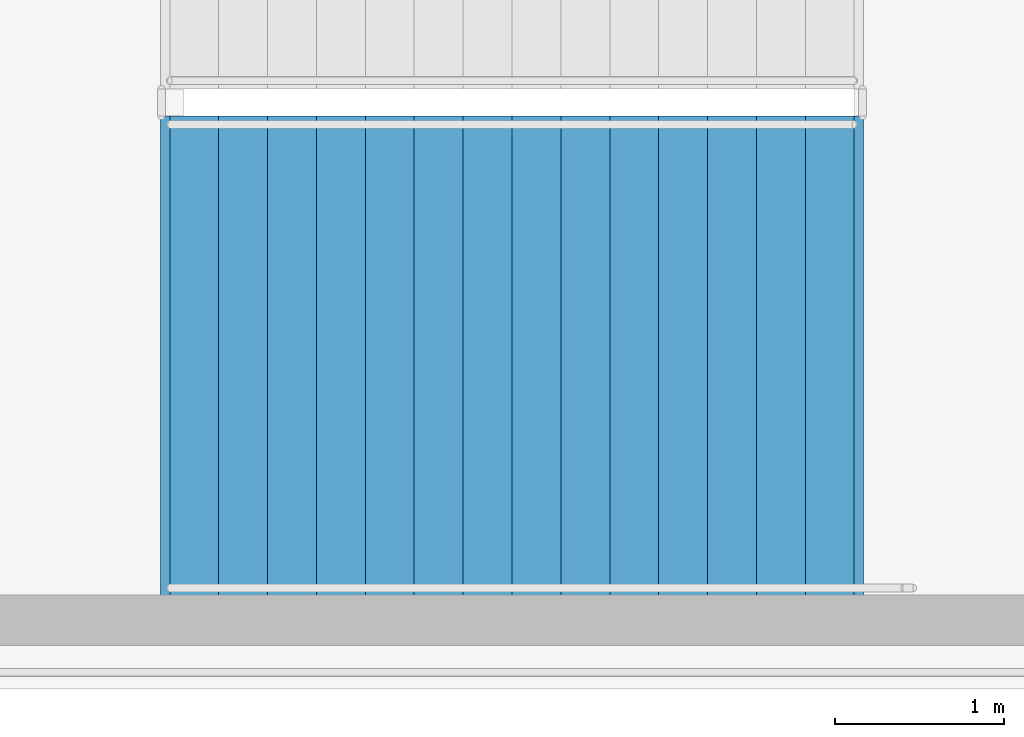
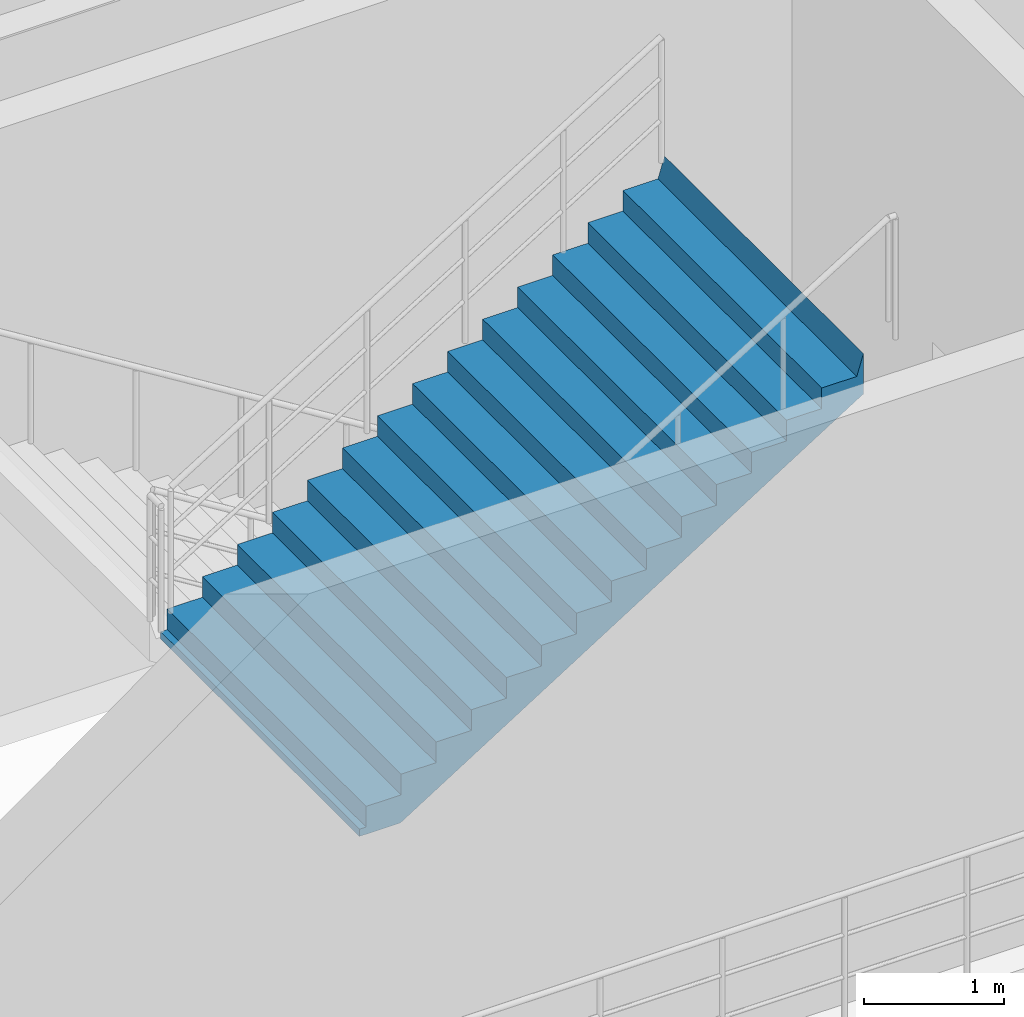
# One storey, part 76 of 93: 1 stair flight, 1 element without a shape of its own.
"""IFC4 building model written with IfcOpenShell, lengths in metres."""

from ifc_helpers import new_model, si_unit, direction, frame, origin, place, context, subcontext, project, spatial, polyline, outline, extrude, material, type_object, element, aggregate, save


model = new_model("IFC4")

# Units and contexts
model_context = context("Model", 3, precision=1e-05, world=origin(), true_north=direction((0.0, 1.0)))
body_context = subcontext(model_context, "Body", "Model", "MODEL_VIEW")
ifc_project = project(units=[si_unit("LENGTHUNIT", "METRE"), si_unit("AREAUNIT", "SQUARE_METRE"), si_unit("VOLUMEUNIT", "CUBIC_METRE"), si_unit("PLANEANGLEUNIT", "RADIAN"), si_unit("MASSUNIT", "GRAM", prefix="KILO")], contexts=[model_context])

# Site, building, storey
site_placement = place(None, origin())
site = spatial("IfcSite", under=ifc_project, at=site_placement, CompositionType="ELEMENT")
building_placement = place(site_placement, origin())
building = spatial("IfcBuilding", under=site, at=building_placement, Name="Cinderbank Siding Concert Hall", CompositionType="ELEMENT")
storey_placement = place(building_placement, origin())
storey = spatial("IfcBuildingStorey", under=building, at=storey_placement, Name="L01", CompositionType="ELEMENT", Elevation=0.0)

# Stair, stair flight
ifc_material = material(Name="Reinforced concrete AS 3600 N50 (50 MPa)", Category="concrete")
stair_type = type_object("IfcStairType", Name="STR-J Dogleg Exit Stair 2850mm", PredefinedType="HALF_TURN_STAIR", material=ifc_material)
stair_placement = place(storey_placement, origin())
stair = element("IfcStair", 1, at=stair_placement, inside=storey, type_object=stair_type, Name="L01 East Link South Exit Stair ST-12", PredefinedType="HALF_TURN_STAIR")
stair_flight_type = type_object("IfcStairFlightType", Name="SFL-J Concrete Stair Flight 2850mm", PredefinedType="STRAIGHT", material=ifc_material)
stair_flight_placement = place(storey_placement, frame((156.7900390625, 60.27490234375, 2.699951171875), z_axis=(0.0, 0.0, 1.0), x_axis=(1.0, 0.0, 0.0)))
stair_flight = element("IfcStairFlight", 2, at=stair_flight_placement, type_object=stair_flight_type, Name="ST-12 flight 2", NumberOfRisers=15, NumberOfTreads=14, PredefinedType="STRAIGHT", RiserHeight=0.18, TreadLength=0.29, context=body_context, shape_type="SweptSolid", body=[
    extrude(outline(polyline([(0.0, 0.0), (0.0, 0.179931640625), (0.2900390625, 0.179931640625), (0.2900390625, 0.360107421875), (0.580078125, 0.360107421875), (0.580078125, 0.5400390625), (0.8701171875, 0.5400390625), (0.8701171875, 0.719970703125), (1.159912109375, 0.719970703125), (1.159912109375, 0.89990234375), (1.449951171875, 0.89990234375), (1.449951171875, 1.080078125), (1.739990234375, 1.080078125), (1.739990234375, 1.260009765625), (2.030029296875, 1.260009765625), (2.030029296875, 1.43994140625), (2.320068359375, 1.43994140625), (2.320068359375, 1.6201171875), (2.610107421875, 1.6201171875), (2.610107421875, 1.800048828125), (2.89990234375, 1.800048828125), (2.89990234375, 1.97998046875), (3.18994140625, 1.97998046875), (3.18994140625, 2.159912109375), (3.47998046875, 2.159912109375), (3.47998046875, 2.340087890625), (3.77001953125, 2.340087890625), (3.77001953125, 2.52001953125), (4.06005859375, 2.52001953125), (4.114990234375, 2.699951171875), (4.114990234375, 2.343505859375), (4.11474609375, 2.34375), (4.11474609375, 2.343994140625), (4.11474609375, 2.34423828125), (4.11474609375, 2.344482421875), (4.11474609375, 2.3447265625), (4.11474609375, 2.344970703125), (4.11474609375, 2.34521484375), (4.11474609375, 2.345458984375), (4.11474609375, 2.345703125), (4.11474609375, 2.345947265625), (4.11474609375, 2.34619140625), (4.11474609375, 2.346435546875), (4.114501953125, 2.346435546875), (4.114501953125, 2.34619140625), (4.114501953125, 2.345947265625), (4.114501953125, 2.345703125), (4.114501953125, 2.345458984375), (4.114501953125, 2.34521484375), (4.114501953125, 2.344970703125), (4.114501953125, 2.3447265625), (4.114501953125, 2.344482421875), (4.114501953125, 2.34423828125), (4.114501953125, 2.343994140625), (4.114501953125, 2.34375), (4.114501953125, 2.343505859375), (4.1142578125, 2.34375), (4.1142578125, 2.343994140625), (4.1142578125, 2.34423828125), (4.1142578125, 2.344482421875), (4.1142578125, 2.3447265625), (4.1142578125, 2.344970703125), (4.1142578125, 2.34521484375), (4.1142578125, 2.345458984375), (4.1142578125, 2.345703125), (4.1142578125, 2.345947265625), (4.1142578125, 2.34619140625), (4.1142578125, 2.346435546875), (4.114013671875, 2.346435546875), (4.114013671875, 2.34619140625), (4.114013671875, 2.345947265625), (4.114013671875, 2.345703125), (4.114013671875, 2.345458984375), (4.114013671875, 2.34521484375), (4.114013671875, 2.344970703125), (4.114013671875, 2.3447265625), (4.114013671875, 2.344482421875), (4.114013671875, 2.34423828125), (4.114013671875, 2.343994140625), (4.114013671875, 2.34375), (4.114013671875, 2.343505859375), (4.11376953125, 2.34375), (4.11376953125, 2.343994140625), (4.11376953125, 2.34423828125), (4.11376953125, 2.344482421875), (4.11376953125, 2.3447265625), (4.11376953125, 2.344970703125), (4.11376953125, 2.34521484375), (4.11376953125, 2.345458984375), (4.11376953125, 2.345703125), (4.11376953125, 2.345947265625), (4.11376953125, 2.34619140625), (4.11376953125, 2.346435546875), (4.113525390625, 2.346435546875), (4.113525390625, 2.34619140625), (4.113525390625, 2.345947265625), (4.113525390625, 2.345703125), (4.113525390625, 2.345458984375), (4.113525390625, 2.34521484375), (4.113525390625, 2.344970703125), (4.113525390625, 2.3447265625), (4.113525390625, 2.344482421875), (4.113525390625, 2.34423828125), (4.113525390625, 2.343994140625), (4.113525390625, 2.34375), (4.113525390625, 2.343505859375), (4.11328125, 2.34375), (4.11328125, 2.343994140625), (4.11328125, 2.34423828125), (4.11328125, 2.344482421875), (4.11328125, 2.3447265625), (4.11328125, 2.344970703125), (4.11328125, 2.34521484375), (4.11328125, 2.345458984375), (4.11328125, 2.345703125), (4.11328125, 2.345947265625), (4.11328125, 2.34619140625), (4.11328125, 2.346435546875), (4.113037109375, 2.346435546875), (4.113037109375, 2.34619140625), (4.113037109375, 2.345947265625), (4.113037109375, 2.345703125), (4.113037109375, 2.345458984375), (4.113037109375, 2.34521484375), (4.113037109375, 2.344970703125), (4.113037109375, 2.3447265625), (4.113037109375, 2.344482421875), (4.113037109375, 2.34423828125), (4.113037109375, 2.343994140625), (4.113037109375, 2.34375), (4.113037109375, 2.343505859375), (4.11279296875, 2.34375), (4.11279296875, 2.343994140625), (4.11279296875, 2.34423828125), (4.11279296875, 2.344482421875), (4.11279296875, 2.3447265625), (4.11279296875, 2.344970703125), (4.11279296875, 2.34521484375), (4.11279296875, 2.345458984375), (4.11279296875, 2.345703125), (4.11279296875, 2.345947265625), (4.11279296875, 2.34619140625), (4.11279296875, 2.346435546875), (4.112548828125, 2.346435546875), (4.112548828125, 2.34619140625), (4.112548828125, 2.345947265625), (4.112548828125, 2.345703125), (4.112548828125, 2.345458984375), (4.112548828125, 2.34521484375), (4.112548828125, 2.344970703125), (4.112548828125, 2.3447265625), (4.112548828125, 2.344482421875), (4.112548828125, 2.34423828125), (4.112548828125, 2.343994140625), (4.112548828125, 2.34375), (4.112548828125, 2.343505859375), (4.1123046875, 2.34375), (4.1123046875, 2.343994140625), (4.1123046875, 2.34423828125), (4.1123046875, 2.344482421875), (4.1123046875, 2.3447265625), (4.1123046875, 2.344970703125), (4.1123046875, 2.34521484375), (4.1123046875, 2.345458984375), (4.1123046875, 2.345703125), (4.1123046875, 2.345947265625), (4.1123046875, 2.34619140625), (4.1123046875, 2.346435546875), (4.112060546875, 2.346435546875), (4.112060546875, 2.34619140625), (4.112060546875, 2.345947265625), (4.112060546875, 2.345703125), (4.112060546875, 2.345458984375), (4.112060546875, 2.34521484375), (4.112060546875, 2.344970703125), (4.112060546875, 2.3447265625), (4.112060546875, 2.344482421875), (4.112060546875, 2.34423828125), (4.112060546875, 2.343994140625), (4.112060546875, 2.34375), (4.112060546875, 2.343505859375), (4.11181640625, 2.34375), (4.11181640625, 2.343994140625), (4.11181640625, 2.34423828125), (4.11181640625, 2.344482421875), (4.11181640625, 2.3447265625), (4.11181640625, 2.344970703125), (4.11181640625, 2.34521484375), (4.11181640625, 2.345458984375), (4.11181640625, 2.345703125), (4.11181640625, 2.345947265625), (4.11181640625, 2.34619140625), (4.11181640625, 2.346435546875), (4.111572265625, 2.346435546875), (4.111572265625, 2.34619140625), (4.111572265625, 2.345947265625), (4.111572265625, 2.345703125), (4.111572265625, 2.345458984375), (4.111572265625, 2.34521484375), (4.111572265625, 2.344970703125), (4.111572265625, 2.3447265625), (4.111572265625, 2.344482421875), (4.111572265625, 2.34423828125), (4.111572265625, 2.343994140625), (4.111572265625, 2.34375), (4.111572265625, 2.343505859375), (4.111328125, 2.34375), (4.111328125, 2.343994140625), (4.111328125, 2.34423828125), (4.111328125, 2.344482421875), (4.111328125, 2.3447265625), (4.111328125, 2.344970703125), (4.111328125, 2.34521484375), (4.111328125, 2.345458984375), (4.111328125, 2.345703125), (4.111328125, 2.345947265625), (4.111328125, 2.34619140625), (4.111328125, 2.346435546875), (4.111083984375, 2.346435546875), (4.111083984375, 2.34619140625), (4.111083984375, 2.345947265625), (4.111083984375, 2.345703125), (4.111083984375, 2.345458984375), (4.111083984375, 2.34521484375), (4.111083984375, 2.344970703125), (4.111083984375, 2.3447265625), (4.111083984375, 2.344482421875), (4.111083984375, 2.34423828125), (4.111083984375, 2.343994140625), (4.111083984375, 2.34375), (4.111083984375, 2.343505859375), (4.11083984375, 2.34375), (4.11083984375, 2.343994140625), (4.11083984375, 2.34423828125), (4.11083984375, 2.344482421875), (4.11083984375, 2.3447265625), (4.11083984375, 2.344970703125), (4.11083984375, 2.34521484375), (4.11083984375, 2.345458984375), (4.11083984375, 2.345703125), (4.11083984375, 2.345947265625), (4.11083984375, 2.34619140625), (4.11083984375, 2.346435546875), (4.110595703125, 2.346435546875), (4.110595703125, 2.34619140625), (4.110595703125, 2.345947265625), (4.110595703125, 2.345703125), (4.110595703125, 2.345458984375), (4.110595703125, 2.34521484375), (4.110595703125, 2.344970703125), (4.110595703125, 2.3447265625), (4.110595703125, 2.344482421875), (4.110595703125, 2.34423828125), (4.110595703125, 2.343994140625), (4.110595703125, 2.34375), (4.110595703125, 2.343505859375), (4.1103515625, 2.34375), (4.1103515625, 2.343994140625), (4.1103515625, 2.34423828125), (4.1103515625, 2.344482421875), (4.1103515625, 2.3447265625), (4.1103515625, 2.344970703125), (4.1103515625, 2.34521484375), (4.1103515625, 2.345458984375), (4.1103515625, 2.345703125), (4.1103515625, 2.345947265625), (4.1103515625, 2.34619140625), (4.1103515625, 2.346435546875), (4.110107421875, 2.346435546875), (4.110107421875, 2.34619140625), (4.110107421875, 2.345947265625), (4.110107421875, 2.345703125), (4.110107421875, 2.345458984375), (4.110107421875, 2.34521484375), (4.110107421875, 2.344970703125), (4.110107421875, 2.3447265625), (4.110107421875, 2.344482421875), (4.110107421875, 2.34423828125), (4.110107421875, 2.343994140625), (4.110107421875, 2.34375), (4.110107421875, 2.343505859375), (4.10986328125, 2.34375), (4.10986328125, 2.343994140625), (4.10986328125, 2.34423828125), (4.10986328125, 2.344482421875), (4.10986328125, 2.3447265625), (4.10986328125, 2.344970703125), (4.10986328125, 2.34521484375), (4.10986328125, 2.345458984375), (4.10986328125, 2.345703125), (4.10986328125, 2.345947265625), (4.10986328125, 2.34619140625), (4.10986328125, 2.346435546875), (4.109619140625, 2.346435546875), (4.109619140625, 2.34619140625), (4.109619140625, 2.345947265625), (4.109619140625, 2.345703125), (4.109619140625, 2.345458984375), (4.109619140625, 2.34521484375), (4.109619140625, 2.344970703125), (4.109619140625, 2.3447265625), (4.109619140625, 2.344482421875), (4.109619140625, 2.34423828125), (4.109619140625, 2.343994140625), (4.109619140625, 2.34375), (4.109619140625, 2.343505859375), (4.109375, 2.34375), (4.109375, 2.343994140625), (4.109375, 2.34423828125), (4.109375, 2.344482421875), (4.109375, 2.3447265625), (4.109375, 2.344970703125), (4.109375, 2.34521484375), (4.109375, 2.345458984375), (4.109375, 2.345703125), (4.109375, 2.345947265625), (4.109375, 2.34619140625), (4.109375, 2.346435546875), (4.109130859375, 2.346435546875), (4.109130859375, 2.34619140625), (4.109130859375, 2.345947265625), (4.109130859375, 2.345703125), (4.109130859375, 2.345458984375), (4.109130859375, 2.34521484375), (4.109130859375, 2.344970703125), (4.109130859375, 2.3447265625), (4.109130859375, 2.344482421875), (4.109130859375, 2.34423828125), (4.109130859375, 2.343994140625), (4.109130859375, 2.34375), (4.109130859375, 2.343505859375), (4.10888671875, 2.34375), (4.10888671875, 2.343994140625), (4.10888671875, 2.34423828125), (4.10888671875, 2.344482421875), (4.10888671875, 2.3447265625), (4.10888671875, 2.344970703125), (4.10888671875, 2.34521484375), (4.10888671875, 2.345458984375), (4.10888671875, 2.345703125), (4.10888671875, 2.345947265625), (4.10888671875, 2.34619140625), (4.10888671875, 2.346435546875), (4.108642578125, 2.346435546875), (4.108642578125, 2.34619140625), (4.108642578125, 2.345947265625), (4.108642578125, 2.345703125), (4.108642578125, 2.345458984375), (4.108642578125, 2.34521484375), (4.108642578125, 2.344970703125), (4.108642578125, 2.3447265625), (4.108642578125, 2.344482421875), (4.108642578125, 2.34423828125), (4.108642578125, 2.343994140625), (4.108642578125, 2.34375), (4.108642578125, 2.343505859375), (0.2841796875, -0.06396484375), (-0.048583984375, -0.063720703125), (-0.048583984375, -0.0634765625), (-0.048583984375, -0.063232421875), (-0.048583984375, -0.06298828125), (-0.048583984375, -0.062744140625), (-0.048583984375, -0.0625), (-0.048583984375, -0.062255859375), (-0.048583984375, -0.06201171875), (-0.048583984375, -0.061767578125), (-0.048583984375, -0.0615234375), (-0.048583984375, -0.061279296875), (-0.048583984375, -0.06103515625), (-0.048828125, -0.06103515625), (-0.048828125, -0.061279296875), (-0.048828125, -0.0615234375), (-0.048828125, -0.061767578125), (-0.048828125, -0.06201171875), (-0.048828125, -0.062255859375), (-0.048828125, -0.0625), (-0.048828125, -0.062744140625), (-0.048828125, -0.06298828125), (-0.048828125, -0.063232421875), (-0.048828125, -0.0634765625), (-0.048828125, -0.063720703125), (-0.048828125, -0.06396484375), (-0.049072265625, -0.063720703125), (-0.049072265625, -0.0634765625), (-0.049072265625, -0.063232421875), (-0.049072265625, -0.06298828125), (-0.049072265625, -0.062744140625), (-0.049072265625, -0.0625), (-0.049072265625, -0.062255859375), (-0.049072265625, -0.06201171875), (-0.049072265625, -0.061767578125), (-0.049072265625, -0.0615234375), (-0.049072265625, -0.061279296875), (-0.049072265625, -0.06103515625), (-0.04931640625, -0.06103515625), (-0.04931640625, -0.061279296875), (-0.04931640625, -0.0615234375), (-0.04931640625, -0.061767578125), (-0.04931640625, -0.06201171875), (-0.04931640625, -0.062255859375), (-0.04931640625, -0.0625), (-0.04931640625, -0.062744140625), (-0.04931640625, -0.06298828125), (-0.04931640625, -0.063232421875), (-0.04931640625, -0.0634765625), (-0.04931640625, -0.063720703125), (-0.04931640625, -0.06396484375), (-0.049560546875, -0.063720703125), (-0.049560546875, -0.0634765625), (-0.049560546875, -0.063232421875), (-0.049560546875, -0.06298828125), (-0.049560546875, -0.062744140625), (-0.049560546875, -0.0625), (-0.049560546875, -0.062255859375), (-0.049560546875, -0.06201171875), (-0.049560546875, -0.061767578125), (-0.049560546875, -0.0615234375), (-0.049560546875, -0.061279296875), (-0.049560546875, -0.06103515625), (-0.0498046875, -0.06103515625), (-0.0498046875, -0.061279296875), (-0.0498046875, -0.0615234375), (-0.0498046875, -0.061767578125), (-0.0498046875, -0.06201171875), (-0.0498046875, -0.062255859375), (-0.0498046875, -0.0625), (-0.0498046875, -0.062744140625), (-0.0498046875, -0.06298828125), (-0.0498046875, -0.063232421875), (-0.0498046875, -0.0634765625), (-0.0498046875, -0.063720703125), (-0.0498046875, -0.06396484375), (-0.050048828125, -0.063720703125), (-0.050048828125, -0.0634765625), (-0.050048828125, -0.063232421875), (-0.050048828125, -0.06298828125), (-0.050048828125, -0.062744140625), (-0.050048828125, -0.0625), (-0.050048828125, -0.062255859375), (-0.050048828125, -0.06201171875), (-0.050048828125, -0.061767578125), (-0.050048828125, -0.0615234375), (-0.050048828125, -0.061279296875), (-0.050048828125, -0.06103515625), (-0.05029296875, -0.06103515625), (-0.05029296875, -0.061279296875), (-0.05029296875, -0.0615234375), (-0.05029296875, -0.061767578125), (-0.05029296875, -0.06201171875), (-0.05029296875, -0.062255859375), (-0.05029296875, -0.0625), (-0.05029296875, -0.062744140625), (-0.05029296875, -0.06298828125), (-0.05029296875, -0.063232421875), (-0.05029296875, -0.0634765625), (-0.05029296875, -0.063720703125), (-0.05029296875, -0.06396484375), (-0.050537109375, -0.063720703125), (-0.050537109375, -0.0634765625), (-0.050537109375, -0.063232421875), (-0.050537109375, -0.06298828125), (-0.050537109375, -0.062744140625), (-0.050537109375, -0.0625), (-0.050537109375, -0.062255859375), (-0.050537109375, -0.06201171875), (-0.050537109375, -0.061767578125), (-0.050537109375, -0.0615234375), (-0.050537109375, -0.061279296875), (-0.050537109375, -0.06103515625), (-0.05078125, -0.06103515625), (-0.05078125, -0.061279296875), (-0.05078125, -0.0615234375), (-0.05078125, -0.061767578125), (-0.05078125, -0.06201171875), (-0.05078125, -0.062255859375), (-0.05078125, -0.0625), (-0.05078125, -0.062744140625), (-0.05078125, -0.06298828125), (-0.05078125, -0.063232421875), (-0.05078125, -0.0634765625), (-0.05078125, -0.063720703125), (-0.05078125, -0.06396484375), (-0.051025390625, -0.063720703125), (-0.051025390625, -0.0634765625), (-0.051025390625, -0.063232421875), (-0.051025390625, -0.06298828125), (-0.051025390625, -0.062744140625), (-0.051025390625, -0.0625), (-0.051025390625, -0.062255859375), (-0.051025390625, -0.06201171875), (-0.051025390625, -0.061767578125), (-0.051025390625, -0.0615234375), (-0.051025390625, -0.061279296875), (-0.051025390625, -0.06103515625), (-0.05126953125, -0.06103515625), (-0.05126953125, -0.061279296875), (-0.05126953125, -0.0615234375), (-0.05126953125, -0.061767578125), (-0.05126953125, -0.06201171875), (-0.05126953125, -0.062255859375), (-0.05126953125, -0.0625), (-0.05126953125, -0.062744140625), (-0.05126953125, -0.06298828125), (-0.05126953125, -0.063232421875), (-0.05126953125, -0.0634765625), (-0.05126953125, -0.063720703125), (-0.05126953125, -0.06396484375), (-0.051513671875, -0.063720703125), (-0.051513671875, -0.0634765625), (-0.051513671875, -0.063232421875), (-0.051513671875, -0.06298828125), (-0.051513671875, -0.062744140625), (-0.051513671875, -0.0625), (-0.051513671875, -0.062255859375), (-0.051513671875, -0.06201171875), (-0.051513671875, -0.061767578125), (-0.051513671875, -0.0615234375), (-0.051513671875, -0.061279296875), (-0.051513671875, -0.06103515625), (-0.0517578125, -0.06103515625), (-0.0517578125, -0.061279296875), (-0.0517578125, -0.0615234375), (-0.0517578125, -0.061767578125), (-0.0517578125, -0.06201171875), (-0.0517578125, -0.062255859375), (-0.0517578125, -0.0625), (-0.0517578125, -0.062744140625), (-0.0517578125, -0.06298828125), (-0.0517578125, -0.063232421875), (-0.0517578125, -0.0634765625), (-0.0517578125, -0.063720703125), (-0.0517578125, -0.06396484375), (-0.052001953125, -0.063720703125), (-0.052001953125, -0.0634765625), (-0.052001953125, -0.063232421875), (-0.052001953125, -0.06298828125), (-0.052001953125, -0.062744140625), (-0.052001953125, -0.0625), (-0.052001953125, -0.062255859375), (-0.052001953125, -0.06201171875), (-0.052001953125, -0.061767578125), (-0.052001953125, -0.0615234375), (-0.052001953125, -0.061279296875), (-0.052001953125, -0.06103515625), (-0.05224609375, -0.06103515625), (-0.05224609375, -0.061279296875), (-0.05224609375, -0.0615234375), (-0.05224609375, -0.061767578125), (-0.05224609375, -0.06201171875), (-0.05224609375, -0.062255859375), (-0.05224609375, -0.0625), (-0.05224609375, -0.062744140625), (-0.05224609375, -0.06298828125), (-0.05224609375, -0.063232421875), (-0.05224609375, -0.0634765625), (-0.05224609375, -0.063720703125), (-0.05224609375, -0.06396484375), (-0.052490234375, -0.063720703125), (-0.052490234375, -0.0634765625), (-0.052490234375, -0.063232421875), (-0.052490234375, -0.06298828125), (-0.052490234375, -0.062744140625), (-0.052490234375, -0.0625), (-0.052490234375, -0.062255859375), (-0.052490234375, -0.06201171875), (-0.052490234375, -0.061767578125), (-0.052490234375, -0.0615234375), (-0.052490234375, -0.061279296875), (-0.052490234375, -0.06103515625), (-0.052734375, -0.06103515625), (-0.052734375, -0.061279296875), (-0.052734375, -0.0615234375), (-0.052734375, -0.061767578125), (-0.052734375, -0.06201171875), (-0.052734375, -0.062255859375), (-0.052734375, -0.0625), (-0.052734375, -0.062744140625), (-0.052734375, -0.06298828125), (-0.052734375, -0.063232421875), (-0.052734375, -0.0634765625), (-0.052734375, -0.063720703125), (-0.052734375, -0.06396484375), (-0.052978515625, -0.063720703125), (-0.052978515625, -0.0634765625), (-0.052978515625, -0.063232421875), (-0.052978515625, -0.06298828125), (-0.052978515625, -0.062744140625), (-0.052978515625, -0.0625), (-0.052978515625, -0.062255859375), (-0.052978515625, -0.06201171875), (-0.052978515625, -0.061767578125), (-0.052978515625, -0.0615234375), (-0.052978515625, -0.061279296875), (-0.052978515625, -0.06103515625), (-0.05322265625, -0.06103515625), (-0.05322265625, -0.061279296875), (-0.05322265625, -0.0615234375), (-0.05322265625, -0.061767578125), (-0.05322265625, -0.06201171875), (-0.05322265625, -0.062255859375), (-0.05322265625, -0.0625), (-0.05322265625, -0.062744140625), (-0.05322265625, -0.06298828125), (-0.05322265625, -0.063232421875), (-0.05322265625, -0.0634765625), (-0.05322265625, -0.063720703125), (-0.05322265625, -0.06396484375), (-0.053466796875, -0.063720703125), (-0.053466796875, -0.0634765625), (-0.053466796875, -0.063232421875), (-0.053466796875, -0.06298828125), (-0.053466796875, -0.062744140625), (-0.053466796875, -0.0625), (-0.053466796875, -0.062255859375), (-0.053466796875, -0.06201171875), (-0.053466796875, -0.061767578125), (-0.053466796875, -0.0615234375), (-0.053466796875, -0.061279296875), (-0.053466796875, -0.06103515625), (-0.0537109375, -0.06103515625), (-0.0537109375, -0.061279296875), (-0.0537109375, -0.0615234375), (-0.0537109375, -0.061767578125), (-0.0537109375, -0.06201171875), (-0.0537109375, -0.062255859375), (-0.0537109375, -0.0625), (-0.0537109375, -0.062744140625), (-0.0537109375, -0.06298828125), (-0.0537109375, -0.063232421875), (-0.0537109375, -0.0634765625), (-0.0537109375, -0.063720703125), (-0.0537109375, -0.06396484375), (-0.053955078125, -0.063720703125), (-0.053955078125, -0.0634765625), (-0.053955078125, -0.063232421875), (-0.053955078125, -0.06298828125), (-0.053955078125, -0.062744140625), (-0.053955078125, -0.0625), (-0.053955078125, -0.062255859375), (-0.053955078125, -0.06201171875), (-0.053955078125, -0.061767578125), (-0.053955078125, -0.0615234375), (-0.053955078125, -0.061279296875), (-0.053955078125, -0.06103515625), (-0.05419921875, -0.06103515625), (-0.05419921875, -0.061279296875), (-0.05419921875, -0.0615234375), (-0.05419921875, -0.061767578125), (-0.05419921875, -0.06201171875), (-0.05419921875, -0.062255859375), (-0.05419921875, -0.0625), (-0.05419921875, -0.062744140625), (-0.05419921875, -0.06298828125), (-0.05419921875, -0.063232421875), (-0.05419921875, -0.0634765625), (-0.05419921875, -0.063720703125), (-0.05419921875, -0.06396484375), (-0.054443359375, -0.063720703125), (-0.054443359375, -0.0634765625), (-0.054443359375, -0.063232421875), (-0.054443359375, -0.06298828125), (-0.054443359375, -0.062744140625), (-0.054443359375, -0.0625), (-0.054443359375, -0.062255859375), (-0.054443359375, -0.06201171875), (-0.054443359375, -0.061767578125), (-0.054443359375, -0.0615234375), (-0.054443359375, -0.061279296875), (-0.054443359375, -0.06103515625), (-0.0546875, -0.06103515625), (-0.0546875, -0.061279296875), (-0.0546875, -0.0615234375), (-0.0546875, -0.061767578125), (-0.0546875, -0.06201171875), (-0.0546875, -0.062255859375), (-0.0546875, -0.0625), (-0.0546875, -0.062744140625), (-0.0546875, -0.06298828125), (-0.0546875, -0.063232421875), (-0.0546875, -0.0634765625), (-0.0546875, -0.063720703125), (-0.0546875, -0.06396484375), (-0.054931640625, -0.06396484375), (-0.054931640625, 0.0), (0.0, 0.0)])), frame((0.0, 1.425048828125, 0.0), z_axis=(0.0, -1.0, 0.0), x_axis=(1.0, 0.0, 0.0)), (0.0, 0.0, 1.0), 2.85009765625),
])
aggregate(stair, [stair_flight])

save(model, "model.ifc")
